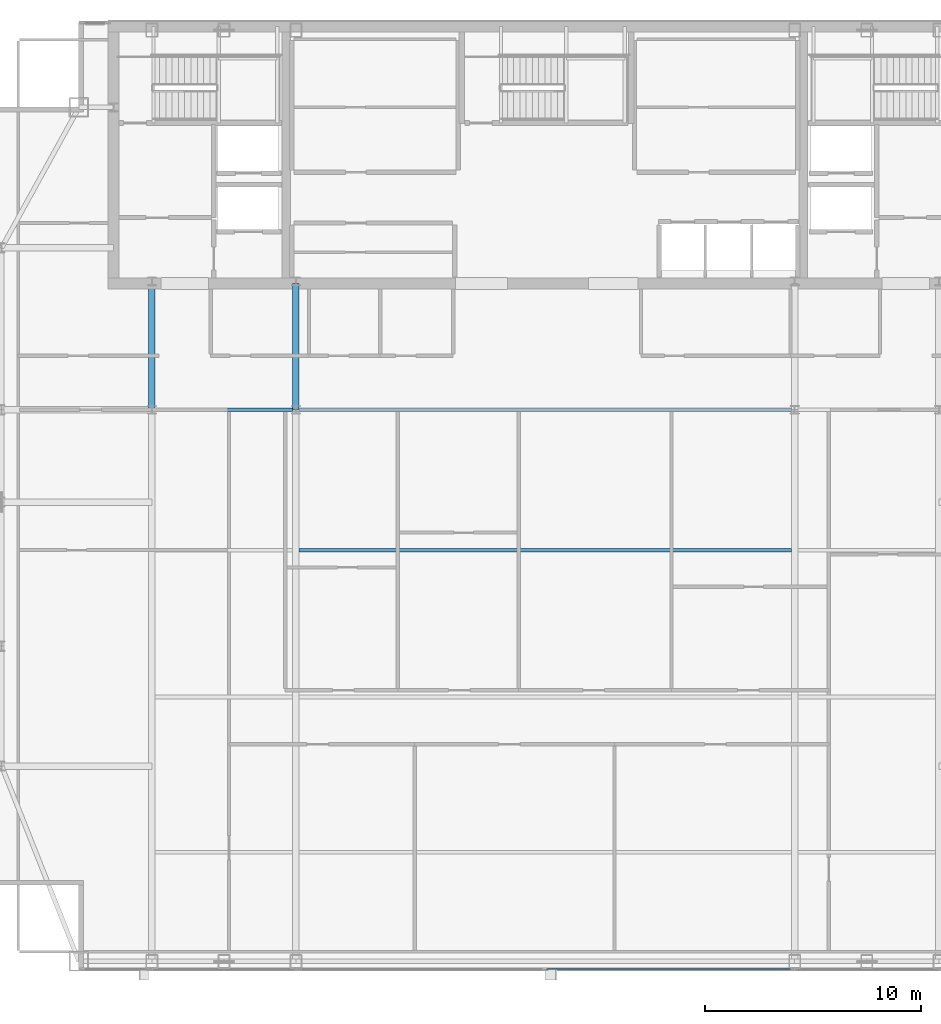
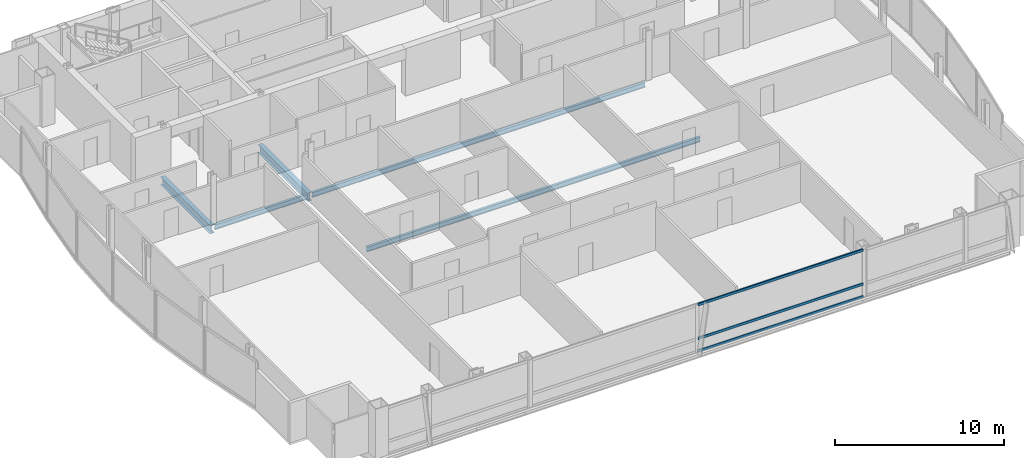
# One storey, part 11 of 27: 5 beams, 3 members, 1 element without a shape of its own.
"""IFC4 building model written with IfcOpenShell, lengths in metres."""

from ifc_helpers import new_model, si_unit, direction, frame, origin, origin_2d, place, context, subcontext, project, spatial, hollow_rectangle, i_section, extrude, material, material_profile, profile_set, type_object, element, aggregate, save


model = new_model("IFC4")

# Units and contexts
model_context = context("Model", 3, precision=1e-05, world=origin(), true_north=direction((0.0, 1.0)))
body_context = subcontext(model_context, "Body", "Model", "MODEL_VIEW")
ifc_project = project(units=[si_unit("LENGTHUNIT", "METRE"), si_unit("AREAUNIT", "SQUARE_METRE"), si_unit("VOLUMEUNIT", "CUBIC_METRE"), si_unit("PLANEANGLEUNIT", "RADIAN"), si_unit("MASSUNIT", "GRAM", prefix="KILO")], contexts=[model_context])

# Site, building, storey
site_placement = place(None, origin())
site = spatial("IfcSite", under=ifc_project, at=site_placement, CompositionType="ELEMENT")
building_placement = place(site_placement, origin())
building = spatial("IfcBuilding", under=site, at=building_placement, Name="Khoronbel Lancet Exchange", CompositionType="ELEMENT")
storey_placement = place(building_placement, frame((0.0, 0.0, 332.60009765625)))
storey = spatial("IfcBuildingStorey", under=building, at=storey_placement, Name="L86", CompositionType="ELEMENT", Elevation=332.60009765625)

# Beams
ifc_material_1 = material(Name="Steel S355", Category="steel")
ifc_material_profile_1 = material_profile(ifc_material_1, i_section(OverallWidth=0.300048828125, OverallDepth=0.60009765625, WebThickness=0.015380859375, FlangeThickness=0.030029296875, at=origin_2d()), Name="HEB 600")
ifc_profile_set_1 = profile_set([ifc_material_profile_1], Name="Steel S355")
beam_type_1 = type_object("IfcBeamType", Name="BM-BG5", PredefinedType="BEAM", material=ifc_profile_set_1)
for number, where, z_axis, x_axis, name in (
    (1, (18.22509765625, 35.699951171875, -0.460205078125), (0.0, 1.0, 0.0), (-1.0, 0.0, 0.0), "Level L86 spine tie girder GN1"),
    (2, (24.89990234375, 35.699951171875, -0.460205078125), (0.0, 1.0, 0.0), (-1.0, 0.0, 0.0), "Level L86 spine tie girder GN2"),
):
    element("IfcBeam", number, at=place(storey_placement, frame(where, z_axis=z_axis, x_axis=x_axis)), inside=storey, type_object=beam_type_1, Name=name, PredefinedType="BEAM", context=body_context, shape_type="SweptSolid", body=[
        extrude(i_section(OverallWidth=0.300048828125, OverallDepth=0.60009765625, WebThickness=0.015380859375, FlangeThickness=0.030029296875, at=origin_2d()), origin(), (0.0, 0.0, 1.0), 5.85009765625),
    ])
ifc_material_profile_2 = material_profile(ifc_material_1, i_section(OverallWidth=0.169921875, OverallDepth=0.360107421875, WebThickness=0.008056640625, FlangeThickness=0.0126953125, at=origin_2d()), Name="IPE 360")
ifc_profile_set_2 = profile_set([ifc_material_profile_2], Name="Steel S355")
beam_type_2 = type_object("IfcBeamType", Name="BM-BJ6", PredefinedType="JOIST", material=ifc_profile_set_2)
beam_1_placement = place(storey_placement, frame((25.050048828125, 29.199951171875, -0.340087890625), z_axis=(1.0, 0.0, 0.0), x_axis=(0.0, 1.0, 0.0)))
element("IfcBeam", 3, at=beam_1_placement, inside=storey, type_object=beam_type_2, Name="Level L86 secondary composite joist J08", PredefinedType="JOIST", context=body_context, shape_type="SweptSolid", body=[
    extrude(i_section(OverallWidth=0.169921875, OverallDepth=0.360107421875, WebThickness=0.008056640625, FlangeThickness=0.0126953125, at=origin_2d()), origin(), (0.0, 0.0, 1.0), 22.800048828125),
])
beam_2_placement = place(storey_placement, frame((18.375, 35.699951171875, -0.340087890625), z_axis=(1.0, 0.0, 0.0), x_axis=(0.0, 1.0, 0.0)))
element("IfcBeam", 4, at=beam_2_placement, inside=storey, type_object=beam_type_2, Name="Level L86 secondary composite joist J10", PredefinedType="JOIST", context=body_context, shape_type="SweptSolid", body=[
    extrude(i_section(OverallWidth=0.169921875, OverallDepth=0.360107421875, WebThickness=0.008056640625, FlangeThickness=0.0126953125, at=origin_2d()), origin(), (0.0, 0.0, 1.0), 6.375),
])
beam_3_placement = place(storey_placement, frame((25.050048828125, 35.699951171875, -0.340087890625), z_axis=(1.0, 0.0, 0.0), x_axis=(0.0, 1.0, 0.0)))
element("IfcBeam", 5, at=beam_3_placement, inside=storey, type_object=beam_type_2, Name="Level L86 secondary composite joist J11", PredefinedType="JOIST", context=body_context, shape_type="SweptSolid", body=[
    extrude(i_section(OverallWidth=0.169921875, OverallDepth=0.360107421875, WebThickness=0.008056640625, FlangeThickness=0.0126953125, at=origin_2d()), origin(), (0.0, 0.0, 1.0), 22.800048828125),
])

# Curtain wall, members
ifc_material_2 = material(Name="Low-E Solar Control Insulating Glass", Category="glass")
curtain_wall_type = type_object("IfcCurtainWallType", Name="CW-3", PredefinedType="NOTDEFINED", material=ifc_material_2)
curtain_wall_placement = place(storey_placement, origin())
curtain_wall = element("IfcCurtainWall", 6, at=curtain_wall_placement, inside=storey, type_object=curtain_wall_type, Name="Unitised curtain wall CW-L86-SCV", PredefinedType="NOTDEFINED")
ifc_material_3 = material(Name="Bronze-Anodised Aluminium 6063-T6", Category="aluminium")
ifc_material_profile_3 = material_profile(ifc_material_3, hollow_rectangle(XDim=0.0849609375, YDim=0.179931640625, WallThickness=0.0048828125, at=origin_2d()), Name="ALU TRANSOM 85x180")
ifc_profile_set_3 = profile_set([ifc_material_profile_3], Name="Bronze-Anodised Aluminium 6063-T6")
member_type = type_object("IfcMemberType", Name="MEM-CWT1", PredefinedType="USERDEFINED", material=ifc_profile_set_3)
member_1_placement = place(storey_placement, frame((36.492431640625, 9.7900390625, 0.04248046875), z_axis=(1.0, 0.0, 0.0), x_axis=(0.0, 1.0, 0.0)))
member_1 = element("IfcMember", 7, at=member_1_placement, type_object=member_type, Name="CW3 transom 2.1", ObjectType="TRANSOM", PredefinedType="USERDEFINED", context=body_context, shape_type="SweptSolid", body=[
    extrude(hollow_rectangle(XDim=0.0849609375, YDim=0.179931640625, WallThickness=0.0048828125, at=origin_2d()), origin(), (0.0, 0.0, 1.0), 11.322509765625),
])
member_2_placement = place(storey_placement, frame((36.492431640625, 9.7900390625, 0.949951171875), z_axis=(1.0, 0.0, 0.0), x_axis=(0.0, 1.0, 0.0)))
member_2 = element("IfcMember", 8, at=member_2_placement, type_object=member_type, Name="CW3 transom 2.2", ObjectType="TRANSOM", PredefinedType="USERDEFINED", context=body_context, shape_type="SweptSolid", body=[
    extrude(hollow_rectangle(XDim=0.0849609375, YDim=0.179931640625, WallThickness=0.0048828125, at=origin_2d()), origin(), (0.0, 0.0, 1.0), 11.322509765625),
])
member_3_placement = place(storey_placement, frame((36.492431640625, 9.7900390625, 3.3974609375), z_axis=(1.0, 0.0, 0.0), x_axis=(0.0, 1.0, 0.0)))
member_3 = element("IfcMember", 9, at=member_3_placement, type_object=member_type, Name="CW3 transom 2.3", ObjectType="TRANSOM", PredefinedType="USERDEFINED", context=body_context, shape_type="SweptSolid", body=[
    extrude(hollow_rectangle(XDim=0.0849609375, YDim=0.179931640625, WallThickness=0.0048828125, at=origin_2d()), origin(), (0.0, 0.0, 1.0), 11.322509765625),
])
aggregate(curtain_wall, [member_1, member_2, member_3])

save(model, "model.ifc")
